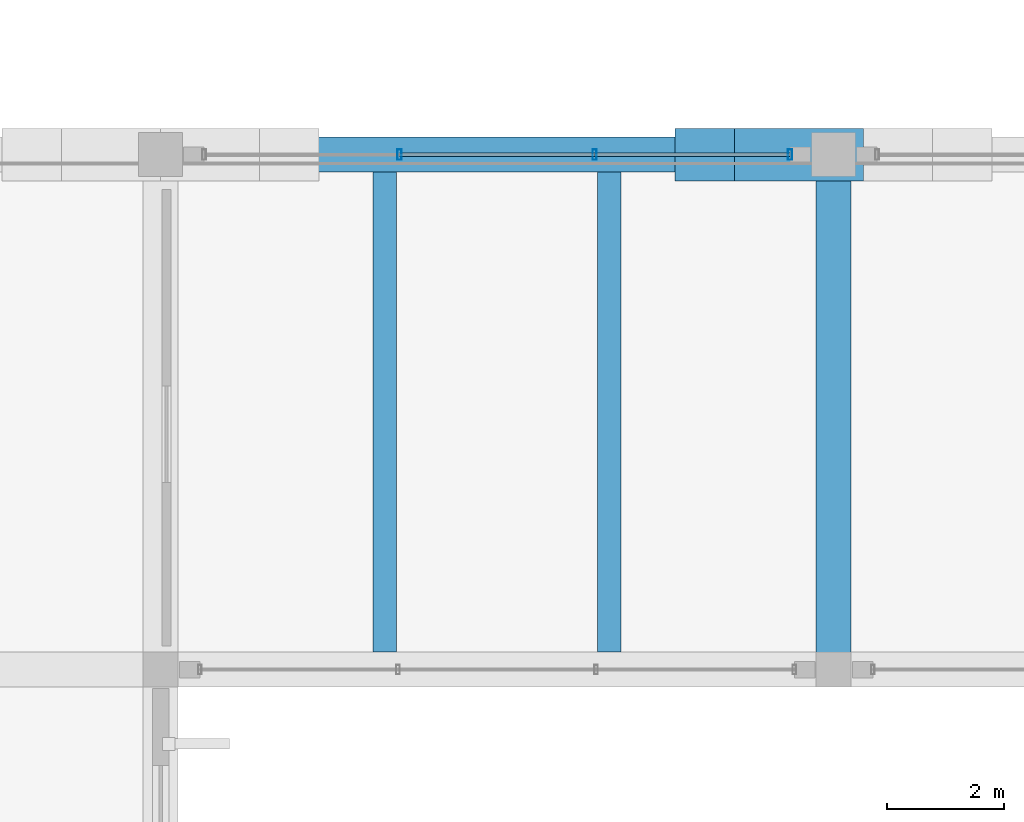
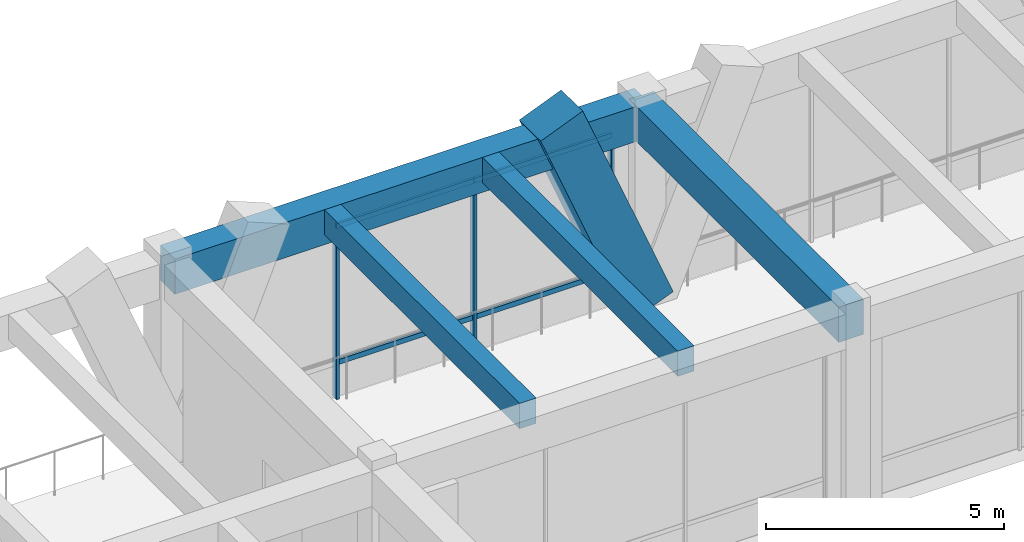
# One storey, part 12 of 148: 8 members, 4 beams, 1 element without a shape of its own.
"""IFC4 building model written with IfcOpenShell, lengths in metres."""

from ifc_helpers import new_model, si_unit, direction, frame, origin, origin_2d, place, context, subcontext, project, spatial, rectangle, hollow_rectangle, extrude, material, material_profile, profile_set, type_object, element, aggregate, save


model = new_model("IFC4")

# Units and contexts
model_context = context("Model", 3, precision=1e-05, world=origin(), true_north=direction((0.0, 1.0)))
body_context = subcontext(model_context, "Body", "Model", "MODEL_VIEW")
ifc_project = project(units=[si_unit("LENGTHUNIT", "METRE"), si_unit("AREAUNIT", "SQUARE_METRE"), si_unit("VOLUMEUNIT", "CUBIC_METRE"), si_unit("PLANEANGLEUNIT", "RADIAN"), si_unit("MASSUNIT", "GRAM", prefix="KILO")], contexts=[model_context])

# Site, building, storey
site_placement = place(None, origin())
site = spatial("IfcSite", under=ifc_project, at=site_placement, CompositionType="ELEMENT")
building_placement = place(site_placement, origin())
building = spatial("IfcBuilding", under=site, at=building_placement, Name="Ologun Quay Terminus", CompositionType="ELEMENT")
storey_placement = place(building_placement, frame((0.0, 0.0, 8.39990234375)))
storey = spatial("IfcBuildingStorey", under=building, at=storey_placement, Name="L02", CompositionType="ELEMENT", Elevation=8.39990234375)

# Curtain wall, members
ifc_material_1 = material(Name="Aluminium 6063-T6", Category="aluminium")
curtain_wall_type = type_object("IfcCurtainWallType", Name="Train Shed South Clerestory Curtain Wall 10700x5050", PredefinedType="USERDEFINED", material=ifc_material_1)
curtain_wall_placement = place(storey_placement, origin())
curtain_wall = element("IfcCurtainWall", 1, at=curtain_wall_placement, inside=storey, type_object=curtain_wall_type, Name="CW-08 Curtain Wall CW-L02-046", ObjectType="UNITISED CURTAIN WALL", PredefinedType="USERDEFINED")
ifc_material_2 = material(Name="Aluminium 6063-T6", Category="aluminium")
ifc_material_profile_1 = material_profile(ifc_material_2, hollow_rectangle(XDim=0.070068359375, YDim=0.179931640625, WallThickness=0.0048828125, at=origin_2d()), Name="ALU 180x70x5")
ifc_profile_set_1 = profile_set([ifc_material_profile_1], Name="Aluminium 6063-T6")
member_type_1 = type_object("IfcMemberType", Name="Concourse Clerestory Mullion 180x70", PredefinedType="MULLION", material=ifc_profile_set_1)
member_1_placement = place(storey_placement, frame((15.581787109375, 36.0, 0.0), z_axis=(0.0, 0.0, 1.0), x_axis=(1.0, 0.0, 0.0)))
member_1 = element("IfcMember", 2, at=member_1_placement, type_object=member_type_1, Name="CW-L02-046 Mullion 2", PredefinedType="MULLION", context=body_context, shape_type="SweptSolid", body=[
    extrude(hollow_rectangle(XDim=0.070068359375, YDim=0.179931640625, WallThickness=0.0048828125, at=origin_2d()), origin(), (0.0, 0.0, 1.0), 5.10009765625),
])
member_2_placement = place(storey_placement, frame((18.918212890625, 36.0, 0.0), z_axis=(0.0, 0.0, 1.0), x_axis=(1.0, 0.0, 0.0)))
member_2 = element("IfcMember", 3, at=member_2_placement, type_object=member_type_1, Name="CW-L02-046 Mullion 3", PredefinedType="MULLION", context=body_context, shape_type="SweptSolid", body=[
    extrude(hollow_rectangle(XDim=0.070068359375, YDim=0.179931640625, WallThickness=0.0048828125, at=origin_2d()), origin(), (0.0, 0.0, 1.0), 5.10009765625),
])
member_3_placement = place(storey_placement, frame((22.2548828125, 36.0, 0.0), z_axis=(0.0, 0.0, 1.0), x_axis=(1.0, 0.0, 0.0)))
member_3 = element("IfcMember", 4, at=member_3_placement, type_object=member_type_1, Name="CW-L02-046 Mullion 4", PredefinedType="MULLION", context=body_context, shape_type="SweptSolid", body=[
    extrude(hollow_rectangle(XDim=0.070068359375, YDim=0.179931640625, WallThickness=0.0048828125, at=origin_2d()), origin(), (0.0, 0.0, 1.0), 5.10009765625),
])
ifc_material_3 = material(Name="Aluminium 6063-T6", Category="aluminium")
ifc_material_profile_2 = material_profile(ifc_material_3, hollow_rectangle(XDim=0.06005859375, YDim=0.1298828125, WallThickness=0.00390625, at=origin_2d()), Name="ALU 130x60x4")
ifc_profile_set_2 = profile_set([ifc_material_profile_2], Name="Aluminium 6063-T6")
member_type_2 = type_object("IfcMemberType", Name="Concourse Clerestory Transom 130x60", PredefinedType="USERDEFINED", material=ifc_profile_set_2)
member_4_placement = place(storey_placement, frame((15.581787109375, 36.0, 0.900146484375), z_axis=(1.0, 0.0, 0.0), x_axis=(0.0, 1.0, 0.0)))
member_4 = element("IfcMember", 5, at=member_4_placement, type_object=member_type_2, Name="CW-L02-046 Transom B2-1", ObjectType="TRANSOM", PredefinedType="USERDEFINED", context=body_context, shape_type="SweptSolid", body=[
    extrude(hollow_rectangle(XDim=0.06005859375, YDim=0.1298828125, WallThickness=0.00390625, at=origin_2d()), origin(), (0.0, 0.0, 1.0), 3.33642578125),
])
member_5_placement = place(storey_placement, frame((15.581787109375, 36.0, 4.400146484375), z_axis=(1.0, 0.0, 0.0), x_axis=(0.0, 1.0, 0.0)))
member_5 = element("IfcMember", 6, at=member_5_placement, type_object=member_type_2, Name="CW-L02-046 Transom B2-2", ObjectType="TRANSOM", PredefinedType="USERDEFINED", context=body_context, shape_type="SweptSolid", body=[
    extrude(hollow_rectangle(XDim=0.06005859375, YDim=0.1298828125, WallThickness=0.00390625, at=origin_2d()), origin(), (0.0, 0.0, 1.0), 3.33642578125),
])
member_6_placement = place(storey_placement, frame((18.918212890625, 36.0, 0.900146484375), z_axis=(1.0, 0.0, 0.0), x_axis=(0.0, 1.0, 0.0)))
member_6 = element("IfcMember", 7, at=member_6_placement, type_object=member_type_2, Name="CW-L02-046 Transom B3-1", ObjectType="TRANSOM", PredefinedType="USERDEFINED", context=body_context, shape_type="SweptSolid", body=[
    extrude(hollow_rectangle(XDim=0.06005859375, YDim=0.1298828125, WallThickness=0.00390625, at=origin_2d()), origin(), (0.0, 0.0, 1.0), 3.336669921875),
])
member_7_placement = place(storey_placement, frame((18.918212890625, 36.0, 4.400146484375), z_axis=(1.0, 0.0, 0.0), x_axis=(0.0, 1.0, 0.0)))
member_7 = element("IfcMember", 8, at=member_7_placement, type_object=member_type_2, Name="CW-L02-046 Transom B3-2", ObjectType="TRANSOM", PredefinedType="USERDEFINED", context=body_context, shape_type="SweptSolid", body=[
    extrude(hollow_rectangle(XDim=0.06005859375, YDim=0.1298828125, WallThickness=0.00390625, at=origin_2d()), origin(), (0.0, 0.0, 1.0), 3.336669921875),
])
aggregate(curtain_wall, [member_1, member_2, member_3, member_4, member_5, member_6, member_7])

# Member
ifc_material_4 = material(Name="Concrete C45/55", Category="concrete")
ifc_material_profile_3 = material_profile(ifc_material_4, rectangle(XDim=0.89990234375, YDim=1.10009765625, at=origin_2d()), Name="RC 900x1100")
ifc_profile_set_3 = profile_set([ifc_material_profile_3], Name="Concrete C45/55")
member_type_3 = type_object("IfcMemberType", Name="Sculpted Concrete Arch V-Buttress Strut 900x1100", PredefinedType="STRUT", material=ifc_profile_set_3)
member_8_placement = place(storey_placement, frame((23.0, 36.0, 0.0), z_axis=(-0.377280927807, 0.0, 0.926098861631), x_axis=(0.0, -1.0, 0.0)))
element("IfcMember", 9, at=member_8_placement, inside=storey, type_object=member_type_3, Name="VS1 Arch V-Buttress West Limb 3/E", PredefinedType="STRUT", context=body_context, shape_type="SweptSolid", body=[
    extrude(rectangle(XDim=0.89990234375, YDim=1.10009765625, at=origin_2d()), origin(), (0.0, 0.0, 1.0), 5.8310546875),
])

# Beams
ifc_material_5 = material(Name="Concrete C40/50", Category="concrete")
ifc_material_profile_4 = material_profile(ifc_material_5, rectangle(XDim=0.60009765625, YDim=0.89990234375, at=origin_2d()), Name="RC 600x900")
ifc_profile_set_4 = profile_set([ifc_material_profile_4], Name="Concrete C40/50")
beam_type_1 = type_object("IfcBeamType", Name="Station Frame Girder 600x900", PredefinedType="BEAM", material=ifc_profile_set_4)
beam_1_placement = place(storey_placement, frame((11.5, 36.0, 4.7001953125), z_axis=(1.0, 0.0, 0.0), x_axis=(0.0, 1.0, 0.0)))
element("IfcBeam", 10, at=beam_1_placement, inside=storey, type_object=beam_type_1, Name="B3 Beam 2/E L02", PredefinedType="BEAM", context=body_context, shape_type="SweptSolid", body=[
    extrude(rectangle(XDim=0.60009765625, YDim=0.89990234375, at=origin_2d()), origin(), (0.0, 0.0, 1.0), 11.5),
])
beam_2_placement = place(storey_placement, frame((23.0, 27.199951171875, 4.7001953125), z_axis=(0.0, 1.0, 0.0), x_axis=(-1.0, 0.0, 0.0)))
element("IfcBeam", 11, at=beam_2_placement, inside=storey, type_object=beam_type_1, Name="B3 Beam 3/D L02", PredefinedType="BEAM", context=body_context, shape_type="SweptSolid", body=[
    extrude(rectangle(XDim=0.60009765625, YDim=0.89990234375, at=origin_2d()), origin(), (0.0, 0.0, 1.0), 8.800048828125),
])
ifc_material_6 = material(Name="Concrete C40/50", Category="concrete")
ifc_material_profile_5 = material_profile(ifc_material_6, rectangle(XDim=0.39990234375, YDim=0.64990234375, at=origin_2d()), Name="RC 400x650")
ifc_profile_set_5 = profile_set([ifc_material_profile_5], Name="Concrete C40/50")
beam_type_2 = type_object("IfcBeamType", Name="Station Secondary Joist 400x650", PredefinedType="JOIST", material=ifc_profile_set_5)
for number, where, z_axis, x_axis, name in (
    (12, (15.333251953125, 27.5, 4.8251953125), (0.0, 1.0, 0.0), (-1.0, 0.0, 0.0), "J1 Beam 2/D L02"),
    (13, (19.166748046875, 27.5, 4.8251953125), (0.0, 1.0, 0.0), (-1.0, 0.0, 0.0), "J1 Beam 2/D L02"),
):
    element("IfcBeam", number, at=place(storey_placement, frame(where, z_axis=z_axis, x_axis=x_axis)), inside=storey, type_object=beam_type_2, Name=name, PredefinedType="JOIST", context=body_context, shape_type="SweptSolid", body=[
        extrude(rectangle(XDim=0.39990234375, YDim=0.64990234375, at=origin_2d()), origin(), (0.0, 0.0, 1.0), 8.199951171875),
    ])

save(model, "model.ifc")
